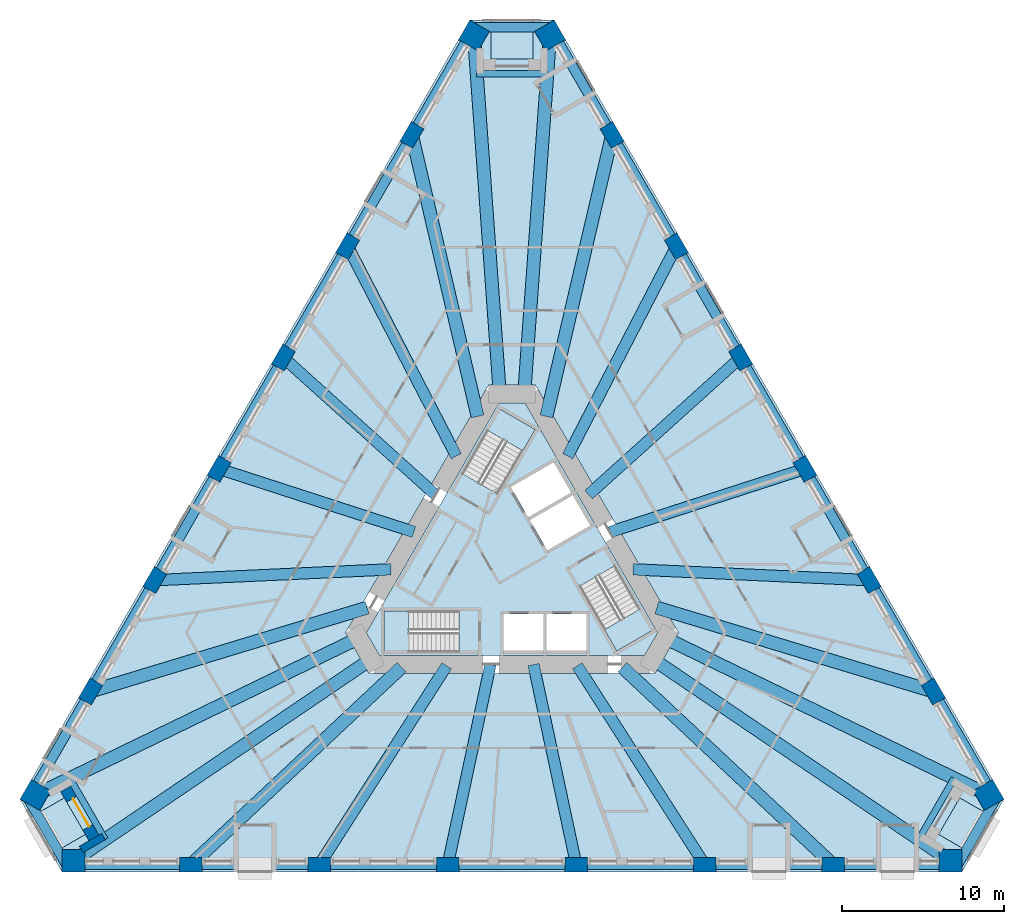
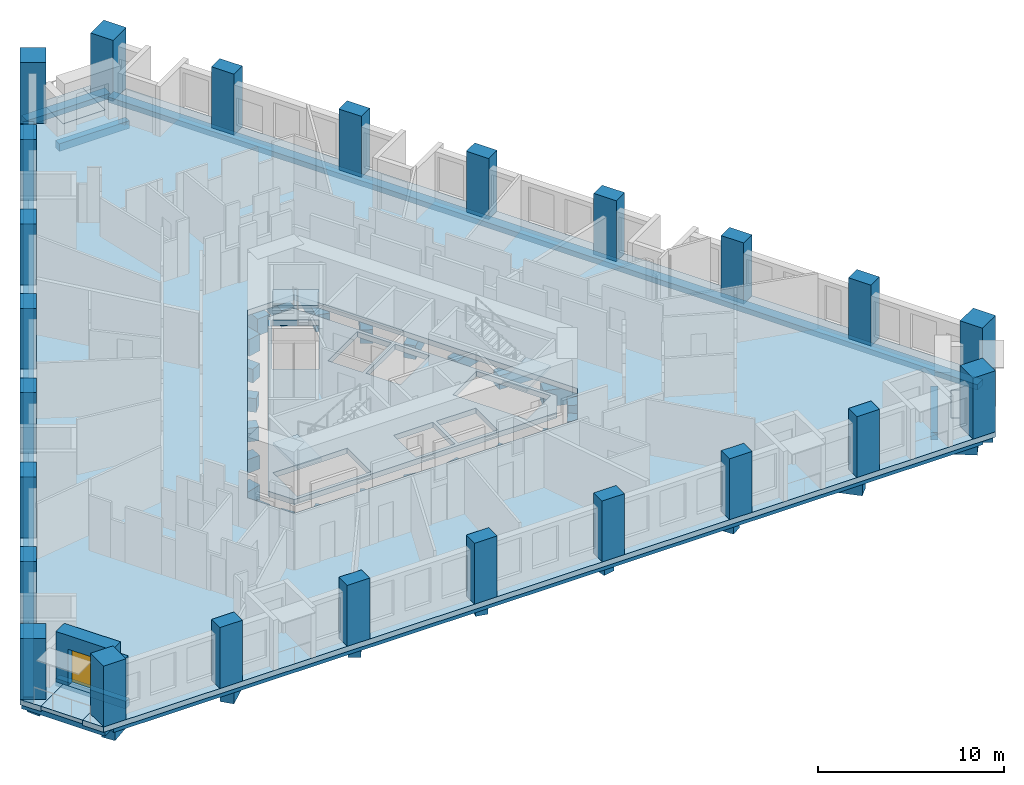
# One storey, part 1 of 14: 33 beams, 24 columns, 8 slabs, 2 walls, 1 door, 1 opening, 3 elements without a shape of their own.
"""IFC4 building model written with IfcOpenShell, lengths in metres."""

from ifc_helpers import new_model, si_unit, direction, frame, frame_2d, origin, origin_2d, place, context, subcontext, project, spatial, polyline, rectangle, outline, extrude, material, layer, layer_set, material_profile, profile_set, type_object, element, fill, aggregate, save


model = new_model("IFC4")

# Units and contexts
model_context = context("Model", 3, precision=1e-05, world=origin(), true_north=direction((0.0, 1.0)))
body_context = subcontext(model_context, "Body", "Model", "MODEL_VIEW")
ifc_project = project(units=[si_unit("LENGTHUNIT", "METRE"), si_unit("AREAUNIT", "SQUARE_METRE"), si_unit("VOLUMEUNIT", "CUBIC_METRE"), si_unit("PLANEANGLEUNIT", "RADIAN"), si_unit("MASSUNIT", "GRAM", prefix="KILO")], contexts=[model_context])

# Site, building, storey
site_placement = place(None, origin())
site = spatial("IfcSite", under=ifc_project, at=site_placement, CompositionType="ELEMENT")
building_placement = place(site_placement, origin())
building = spatial("IfcBuilding", under=site, at=building_placement, Name="Tramontana Tower", CompositionType="ELEMENT")
storey_placement = place(building_placement, frame((0.0, 0.0, 38.0)))
storey = spatial("IfcBuildingStorey", under=building, at=storey_placement, Name="L07", CompositionType="ELEMENT", Elevation=38.0)

# Columns
ifc_material_1 = material(Name="Concrete 70 MPa", Category="concrete")
ifc_material_profile_1 = material_profile(ifc_material_1, rectangle(XDim=1.39990234375, YDim=1.39990234375, at=origin_2d()), Name="Mega column 1400X1400 70 MPa")
ifc_profile_set_1 = profile_set([ifc_material_profile_1], Name="Concrete 70 MPa")
column_type_1 = type_object("IfcColumnType", Name="Mega column 1400X1400 70 MPa", PredefinedType="COLUMN", material=ifc_profile_set_1)
for number, where, z_axis, x_axis, name in (
    (1, (-2.341796875, 32.543701171875, 0.0), (0.0, 0.0, 1.0), (-0.5, -0.866025403784, 0.0), "Mega column C0K1 L07"),
    (2, (-29.354736328125, -14.243896484375, 0.0), (0.0, 0.0, 1.0), (-0.5, -0.866025403784, 0.0), "Mega column C0K2 L07"),
    (3, (-27.0126953125, -18.300048828125, 0.0), (0.0, 0.0, 1.0), (1.0, 0.0, 0.0), "Mega column C0K3 L07"),
    (4, (27.0126953125, -18.300048828125, 0.0), (0.0, 0.0, 1.0), (1.0, 0.0, 0.0), "Mega column C0K4 L07"),
    (5, (29.354736328125, -14.243896484375, 0.0), (0.0, 0.0, 1.0), (-0.5, 0.866025403784, 0.0), "Mega column C0K5 L07"),
    (6, (2.341796875, 32.543701171875, 0.0), (0.0, 0.0, 1.0), (-0.5, 0.866025403784, 0.0), "Mega column C0K6 L07"),
):
    element("IfcColumn", number, at=place(storey_placement, frame(where, z_axis=z_axis, x_axis=x_axis)), inside=storey, type_object=column_type_1, Name=name, PredefinedType="COLUMN", context=body_context, shape_type="SweptSolid", body=[
        extrude(rectangle(XDim=1.39990234375, YDim=1.39990234375, at=origin_2d()), origin(), (0.0, 0.0, 1.0), 4.0),
    ])
ifc_material_2 = material(Name="Concrete 55 MPa", Category="concrete")
ifc_material_profile_2 = material_profile(ifc_material_2, rectangle(XDim=1.39990234375, YDim=0.89990234375, at=origin_2d()), Name="Pier column 1400X900 55 MPa")
ifc_profile_set_2 = profile_set([ifc_material_profile_2], Name="Concrete 55 MPa")
column_type_2 = type_object("IfcColumnType", Name="Pier column 1400X900 55 MPa", PredefinedType="COLUMN", material=ifc_profile_set_2)
for number, where, z_axis, x_axis, name in (
    (7, (-6.167236328125, 26.41796875, 0.0), (0.0, 0.0, 1.0), (-0.5, -0.866025403784, 0.0), "Pier column C0F01 L07"),
    (8, (-10.126220703125, 19.560791015625, 0.0), (0.0, 0.0, 1.0), (-0.5, -0.866025403784, 0.0), "Pier column C0F02 L07"),
    (9, (-14.085205078125, 12.70361328125, 0.0), (0.0, 0.0, 1.0), (-0.5, -0.866025403784, 0.0), "Pier column C0F03 L07"),
    (10, (-18.044189453125, 5.846435546875, 0.0), (0.0, 0.0, 1.0), (-0.5, -0.866025403784, 0.0), "Pier column C0F04 L07"),
    (11, (-22.003173828125, -1.0107421875, 0.0), (0.0, 0.0, 1.0), (-0.5, -0.866025403784, 0.0), "Pier column C0F05 L07"),
    (12, (-25.962158203125, -7.867919921875, 0.0), (0.0, 0.0, 1.0), (-0.5, -0.866025403784, 0.0), "Pier column C0F06 L07"),
    (13, (-19.794921875, -18.550048828125, 0.0), (0.0, 0.0, 1.0), (1.0, 0.0, 0.0), "Pier column C0F07 L07"),
    (14, (-11.876953125, -18.550048828125, 0.0), (0.0, 0.0, 1.0), (1.0, 0.0, 0.0), "Pier column C0F08 L07"),
    (15, (-3.958984375, -18.550048828125, 0.0), (0.0, 0.0, 1.0), (1.0, 0.0, 0.0), "Pier column C0F09 L07"),
    (16, (3.958984375, -18.550048828125, 0.0), (0.0, 0.0, 1.0), (1.0, 0.0, 0.0), "Pier column C0F10 L07"),
    (17, (11.876953125, -18.550048828125, 0.0), (0.0, 0.0, 1.0), (1.0, 0.0, 0.0), "Pier column C0F11 L07"),
    (18, (19.794921875, -18.550048828125, 0.0), (0.0, 0.0, 1.0), (1.0, 0.0, 0.0), "Pier column C0F12 L07"),
    (19, (25.962158203125, -7.867919921875, 0.0), (0.0, 0.0, 1.0), (-0.5, 0.866025403784, 0.0), "Pier column C0F13 L07"),
    (20, (22.003173828125, -1.0107421875, 0.0), (0.0, 0.0, 1.0), (-0.5, 0.866025403784, 0.0), "Pier column C0F14 L07"),
    (21, (18.044189453125, 5.846435546875, 0.0), (0.0, 0.0, 1.0), (-0.5, 0.866025403784, 0.0), "Pier column C0F15 L07"),
    (22, (14.085205078125, 12.70361328125, 0.0), (0.0, 0.0, 1.0), (-0.5, 0.866025403784, 0.0), "Pier column C0F16 L07"),
    (23, (10.126220703125, 19.560791015625, 0.0), (0.0, 0.0, 1.0), (-0.5, 0.866025403784, 0.0), "Pier column C0F17 L07"),
    (24, (6.167236328125, 26.41796875, 0.0), (0.0, 0.0, 1.0), (-0.5, 0.866025403784, 0.0), "Pier column C0F18 L07"),
):
    element("IfcColumn", number, at=place(storey_placement, frame(where, z_axis=z_axis, x_axis=x_axis)), inside=storey, type_object=column_type_2, Name=name, PredefinedType="COLUMN", context=body_context, shape_type="SweptSolid", body=[
        extrude(rectangle(XDim=1.39990234375, YDim=0.89990234375, at=origin_2d()), origin(), (0.0, 0.0, 1.0), 4.0),
    ])

# Beams
ifc_material_3 = material(Name="Concrete 40 MPa", Category="concrete")
ifc_material_profile_3 = material_profile(ifc_material_3, rectangle(XDim=0.60009765625, YDim=0.35009765625, at=origin_2d()), Name="RC EDGE BEAM 600X350 40 MPa")
ifc_profile_set_3 = profile_set([ifc_material_profile_3], Name="Concrete 40 MPa")
beam_type_1 = type_object("IfcBeamType", Name="RC EDGE BEAM 600X350 40 MPa", PredefinedType="SPANDREL", material=ifc_profile_set_3)
beam_1_placement = place(storey_placement, frame((-2.558349609375, 32.668701171875, -0.52490234375), z_axis=(-0.500001490283, -0.866024543367, 0.0), x_axis=(0.866024543367, -0.500001490283, 0.0)))
element("IfcBeam", 25, at=beam_1_placement, inside=storey, type_object=beam_type_1, Name="Spandrel beam S0 L07", PredefinedType="SPANDREL", context=body_context, shape_type="SweptSolid", body=[
    extrude(rectangle(XDim=0.60009765625, YDim=0.35009765625, at=origin_2d()), origin(), (0.0, 0.0, 1.0), 54.025634765625),
])
beam_2_placement = place(storey_placement, frame((-27.0126953125, -18.550048828125, -0.52490234375), z_axis=(1.0, 0.0, 0.0), x_axis=(0.0, 1.0, 0.0)))
element("IfcBeam", 26, at=beam_2_placement, inside=storey, type_object=beam_type_1, Name="Spandrel beam S1 L07", PredefinedType="SPANDREL", context=body_context, shape_type="SweptSolid", body=[
    extrude(rectangle(XDim=0.60009765625, YDim=0.35009765625, at=origin_2d()), origin(), (0.0, 0.0, 1.0), 54.025390625),
])
beam_3_placement = place(storey_placement, frame((29.5712890625, -14.118896484375, -0.52490234375), z_axis=(-0.500001490283, 0.866024543367, 0.0), x_axis=(-0.866024543367, -0.500001490283, 0.0)))
element("IfcBeam", 27, at=beam_3_placement, inside=storey, type_object=beam_type_1, Name="Spandrel beam S2 L07", PredefinedType="SPANDREL", context=body_context, shape_type="SweptSolid", body=[
    extrude(rectangle(XDim=0.60009765625, YDim=0.35009765625, at=origin_2d()), origin(), (0.0, 0.0, 1.0), 54.025634765625),
])
for number, where, z_axis, x_axis, name in (
    (28, (2.59814453125, 33.050048828125, -0.52490234375), (-1.0, 0.0, 0.0), (0.0, -1.0, 0.0), "Spandrel beam K0 L07"),
    (29, (-29.921142578125, -14.27490234375, -0.52490234375), (0.50000986103, -0.866019710441, 0.0), (0.866019710441, 0.50000986103, 0.0), "Spandrel beam K1 L07"),
    (30, (27.322998046875, -18.77490234375, -0.52490234375), (0.50000986103, 0.866019710441, 0.0), (-0.866019710441, 0.50000986103, 0.0), "Spandrel beam K2 L07"),
):
    element("IfcBeam", number, at=place(storey_placement, frame(where, z_axis=z_axis, x_axis=x_axis)), inside=storey, type_object=beam_type_1, Name=name, PredefinedType="SPANDREL", context=body_context, shape_type="SweptSolid", body=[
        extrude(rectangle(XDim=0.60009765625, YDim=0.35009765625, at=origin_2d()), origin(), (0.0, 0.0, 1.0), 5.1962890625),
    ])
ifc_material_4 = material(Name="Concrete 40 MPa", Category="concrete")
ifc_material_profile_4 = material_profile(ifc_material_4, rectangle(XDim=0.699951171875, YDim=0.89990234375, at=origin_2d()), Name="RC GIRDER 700X900 40 MPa")
ifc_profile_set_4 = profile_set([ifc_material_profile_4], Name="Concrete 40 MPa")
beam_type_2 = type_object("IfcBeamType", Name="RC GIRDER 700X900 40 MPa", PredefinedType="BEAM", material=ifc_profile_set_4)
beam_4_placement = place(storey_placement, frame((-10.126220703125, 19.560791015625, -0.800048828125), z_axis=(0.459730770714, -0.88805834181, 0.0), x_axis=(0.88805834181, 0.459730770714, 0.0)))
element("IfcBeam", 31, at=beam_4_placement, inside=storey, type_object=beam_type_2, Name="Radial girder C0F02 L07", PredefinedType="BEAM", context=body_context, shape_type="SweptSolid", body=[
    extrude(rectangle(XDim=0.699951171875, YDim=0.89990234375, at=origin_2d()), origin(), (0.0, 0.0, 1.0), 14.5615234375),
])
beam_5_placement = place(storey_placement, frame((-14.085205078125, 12.70361328125, -0.800048828125), z_axis=(0.742588406407, -0.669748056116, 0.0), x_axis=(0.669748056116, 0.742588406407, 0.0)))
element("IfcBeam", 32, at=beam_5_placement, inside=storey, type_object=beam_type_2, Name="Radial girder C0F03 L07", PredefinedType="BEAM", context=body_context, shape_type="SweptSolid", body=[
    extrude(rectangle(XDim=0.699951171875, YDim=0.89990234375, at=origin_2d()), origin(), (0.0, 0.0, 1.0), 12.615966796875),
])
beam_6_placement = place(storey_placement, frame((-18.044189453125, 5.846435546875, -0.800048828125), z_axis=(0.951314408854, -0.30822215285, 0.0), x_axis=(0.30822215285, 0.951314408854, 0.0)))
element("IfcBeam", 33, at=beam_6_placement, inside=storey, type_object=beam_type_2, Name="Radial girder C0F04 L07", PredefinedType="BEAM", context=body_context, shape_type="SweptSolid", body=[
    extrude(rectangle(XDim=0.699951171875, YDim=0.89990234375, at=origin_2d()), origin(), (0.0, 0.0, 1.0), 12.61572265625),
])
for number, where, z_axis, x_axis, name in (
    (34, (-22.003173828125, -1.0107421875, -0.800048828125), (0.998946541736, 0.045889070085, 0.0), (-0.045889070085, 0.998946541736, 0.0), "Radial girder C0F05 L07"),
    (35, (-11.876953125, -18.550048828125, -0.800048828125), (0.539217827497, 0.84216633423, 0.0), (-0.84216633423, 0.539217827497, 0.0), "Radial girder C0F08 L07"),
):
    element("IfcBeam", number, at=place(storey_placement, frame(where, z_axis=z_axis, x_axis=x_axis)), inside=storey, type_object=beam_type_2, Name=name, PredefinedType="BEAM", context=body_context, shape_type="SweptSolid", body=[
        extrude(rectangle(XDim=0.699951171875, YDim=0.89990234375, at=origin_2d()), origin(), (0.0, 0.0, 1.0), 14.5615234375),
    ])
for number, where, z_axis, x_axis, name in (
    (36, (-3.958984375, -18.550048828125, -0.800048828125), (0.208730772127, 0.977973141128, 0.0), (-0.977973141128, 0.208730772127, 0.0), "Radial girder C0F09 L07"),
    (37, (3.958984375, -18.550048828125, -0.800048828125), (-0.208730772127, 0.977973141128, 0.0), (-0.977973141128, -0.208730772127, 0.0), "Radial girder C0F10 L07"),
):
    element("IfcBeam", number, at=place(storey_placement, frame(where, z_axis=z_axis, x_axis=x_axis)), inside=storey, type_object=beam_type_2, Name=name, PredefinedType="BEAM", context=body_context, shape_type="SweptSolid", body=[
        extrude(rectangle(XDim=0.699951171875, YDim=0.89990234375, at=origin_2d()), origin(), (0.0, 0.0, 1.0), 12.61572265625),
    ])
for number, where, z_axis, x_axis, name in (
    (38, (11.876953125, -18.550048828125, -0.800048828125), (-0.539217827497, 0.84216633423, 0.0), (-0.84216633423, -0.539217827497, 0.0), "Radial girder C0F11 L07"),
    (39, (22.003173828125, -1.0107421875, -0.800048828125), (-0.998946541736, 0.045889070085, 0.0), (-0.045889070085, -0.998946541736, 0.0), "Radial girder C0F14 L07"),
):
    element("IfcBeam", number, at=place(storey_placement, frame(where, z_axis=z_axis, x_axis=x_axis)), inside=storey, type_object=beam_type_2, Name=name, PredefinedType="BEAM", context=body_context, shape_type="SweptSolid", body=[
        extrude(rectangle(XDim=0.699951171875, YDim=0.89990234375, at=origin_2d()), origin(), (0.0, 0.0, 1.0), 14.5615234375),
    ])
beam_7_placement = place(storey_placement, frame((18.044189453125, 5.846435546875, -0.800048828125), z_axis=(-0.951314408854, -0.30822215285, 0.0), x_axis=(0.30822215285, -0.951314408854, 0.0)))
element("IfcBeam", 40, at=beam_7_placement, inside=storey, type_object=beam_type_2, Name="Radial girder C0F15 L07", PredefinedType="BEAM", context=body_context, shape_type="SweptSolid", body=[
    extrude(rectangle(XDim=0.699951171875, YDim=0.89990234375, at=origin_2d()), origin(), (0.0, 0.0, 1.0), 12.61572265625),
])
beam_8_placement = place(storey_placement, frame((14.085205078125, 12.70361328125, -0.800048828125), z_axis=(-0.742588406407, -0.669748056116, 0.0), x_axis=(0.669748056116, -0.742588406407, 0.0)))
element("IfcBeam", 41, at=beam_8_placement, inside=storey, type_object=beam_type_2, Name="Radial girder C0F16 L07", PredefinedType="BEAM", context=body_context, shape_type="SweptSolid", body=[
    extrude(rectangle(XDim=0.699951171875, YDim=0.89990234375, at=origin_2d()), origin(), (0.0, 0.0, 1.0), 12.615966796875),
])
beam_9_placement = place(storey_placement, frame((10.126220703125, 19.560791015625, -0.800048828125), z_axis=(-0.459730770714, -0.88805834181, 0.0), x_axis=(0.88805834181, -0.459730770714, 0.0)))
element("IfcBeam", 42, at=beam_9_placement, inside=storey, type_object=beam_type_2, Name="Radial girder C0F17 L07", PredefinedType="BEAM", context=body_context, shape_type="SweptSolid", body=[
    extrude(rectangle(XDim=0.699951171875, YDim=0.89990234375, at=origin_2d()), origin(), (0.0, 0.0, 1.0), 14.5615234375),
])
ifc_material_5 = material(Name="Concrete 40 MPa", Category="concrete")
ifc_material_profile_5 = material_profile(ifc_material_5, rectangle(XDim=0.800048828125, YDim=1.10009765625, at=origin_2d()), Name="RC GIRDER 800X1100 40 MPa")
ifc_profile_set_5 = profile_set([ifc_material_profile_5], Name="Concrete 40 MPa")
beam_type_3 = type_object("IfcBeamType", Name="RC GIRDER 800X1100 40 MPa", PredefinedType="BEAM", material=ifc_profile_set_5)
beam_10_placement = place(storey_placement, frame((-2.341796875, 32.543701171875, -0.89990234375), z_axis=(0.071767165612, -0.997421412413, 0.0), x_axis=(0.997421412413, 0.071767165612, 0.0)))
element("IfcBeam", 43, at=beam_10_placement, inside=storey, type_object=beam_type_3, Name="Radial girder C0K1 L07", PredefinedType="BEAM", context=body_context, shape_type="SweptSolid", body=[
    extrude(rectangle(XDim=0.800048828125, YDim=1.10009765625, at=origin_2d()), origin(), (0.0, 0.0, 1.0), 22.1494140625),
])
beam_11_placement = place(storey_placement, frame((-6.167236328125, 26.41796875, -0.89990234375), z_axis=(0.227334068495, -0.973816831494, 0.0), x_axis=(0.973816831494, 0.227334068495, 0.0)))
element("IfcBeam", 44, at=beam_11_placement, inside=storey, type_object=beam_type_3, Name="Radial girder C0F01 L07", PredefinedType="BEAM", context=body_context, shape_type="SweptSolid", body=[
    extrude(rectangle(XDim=0.800048828125, YDim=1.10009765625, at=origin_2d()), origin(), (0.0, 0.0, 1.0), 17.806884765625),
])
beam_12_placement = place(storey_placement, frame((-25.962158203125, -7.867919921875, -0.89990234375), z_axis=(0.95701990712, 0.290022236004, 0.0), x_axis=(-0.290022236004, 0.95701990712, 0.0)))
element("IfcBeam", 45, at=beam_12_placement, inside=storey, type_object=beam_type_3, Name="Radial girder C0F06 L07", PredefinedType="BEAM", context=body_context, shape_type="SweptSolid", body=[
    extrude(rectangle(XDim=0.800048828125, YDim=1.10009765625, at=origin_2d()), origin(), (0.0, 0.0, 1.0), 17.806640625),
])
beam_13_placement = place(storey_placement, frame((-29.354736328125, -14.243896484375, -0.89990234375), z_axis=(0.899679009302, 0.436552036098, 0.0), x_axis=(-0.436552036098, 0.899679009302, 0.0)))
element("IfcBeam", 46, at=beam_13_placement, inside=storey, type_object=beam_type_3, Name="Radial girder C0K2 L07", PredefinedType="BEAM", context=body_context, shape_type="SweptSolid", body=[
    extrude(rectangle(XDim=0.800048828125, YDim=1.10009765625, at=origin_2d()), origin(), (0.0, 0.0, 1.0), 22.149658203125),
])
beam_14_placement = place(storey_placement, frame((-27.0126953125, -18.300048828125, -0.89990234375), z_axis=(0.827898052271, 0.560878609903, 0.0), x_axis=(-0.560878609903, 0.827898052271, 0.0)))
element("IfcBeam", 47, at=beam_14_placement, inside=storey, type_object=beam_type_3, Name="Radial girder C0K3 L07", PredefinedType="BEAM", context=body_context, shape_type="SweptSolid", body=[
    extrude(rectangle(XDim=0.800048828125, YDim=1.10009765625, at=origin_2d()), origin(), (0.0, 0.0, 1.0), 22.1494140625),
])
for number, where, z_axis, x_axis, name in (
    (48, (-19.794921875, -18.550048828125, -0.89990234375), (0.72967229952, 0.683796998614, 0.0), (-0.683796998614, 0.72967229952, 0.0), "Radial girder C0F07 L07"),
    (49, (19.794921875, -18.550048828125, -0.89990234375), (-0.72967229952, 0.683796998614, 0.0), (-0.683796998614, -0.72967229952, 0.0), "Radial girder C0F12 L07"),
):
    element("IfcBeam", number, at=place(storey_placement, frame(where, z_axis=z_axis, x_axis=x_axis)), inside=storey, type_object=beam_type_3, Name=name, PredefinedType="BEAM", context=body_context, shape_type="SweptSolid", body=[
        extrude(rectangle(XDim=0.800048828125, YDim=1.10009765625, at=origin_2d()), origin(), (0.0, 0.0, 1.0), 17.806884765625),
    ])
beam_15_placement = place(storey_placement, frame((27.0126953125, -18.300048828125, -0.89990234375), z_axis=(-0.827898052271, 0.560878609903, 0.0), x_axis=(-0.560878609903, -0.827898052271, 0.0)))
element("IfcBeam", 50, at=beam_15_placement, inside=storey, type_object=beam_type_3, Name="Radial girder C0K4 L07", PredefinedType="BEAM", context=body_context, shape_type="SweptSolid", body=[
    extrude(rectangle(XDim=0.800048828125, YDim=1.10009765625, at=origin_2d()), origin(), (0.0, 0.0, 1.0), 22.1494140625),
])
beam_16_placement = place(storey_placement, frame((29.354736328125, -14.243896484375, -0.89990234375), z_axis=(-0.899679009302, 0.436552036098, 0.0), x_axis=(-0.436552036098, -0.899679009302, 0.0)))
element("IfcBeam", 51, at=beam_16_placement, inside=storey, type_object=beam_type_3, Name="Radial girder C0K5 L07", PredefinedType="BEAM", context=body_context, shape_type="SweptSolid", body=[
    extrude(rectangle(XDim=0.800048828125, YDim=1.10009765625, at=origin_2d()), origin(), (0.0, 0.0, 1.0), 22.149658203125),
])
beam_17_placement = place(storey_placement, frame((25.962158203125, -7.867919921875, -0.89990234375), z_axis=(-0.95701990712, 0.290022236004, 0.0), x_axis=(-0.290022236004, -0.95701990712, 0.0)))
element("IfcBeam", 52, at=beam_17_placement, inside=storey, type_object=beam_type_3, Name="Radial girder C0F13 L07", PredefinedType="BEAM", context=body_context, shape_type="SweptSolid", body=[
    extrude(rectangle(XDim=0.800048828125, YDim=1.10009765625, at=origin_2d()), origin(), (0.0, 0.0, 1.0), 17.806640625),
])
beam_18_placement = place(storey_placement, frame((6.167236328125, 26.41796875, -0.89990234375), z_axis=(-0.227334068495, -0.973816831494, 0.0), x_axis=(0.973816831494, -0.227334068495, 0.0)))
element("IfcBeam", 53, at=beam_18_placement, inside=storey, type_object=beam_type_3, Name="Radial girder C0F18 L07", PredefinedType="BEAM", context=body_context, shape_type="SweptSolid", body=[
    extrude(rectangle(XDim=0.800048828125, YDim=1.10009765625, at=origin_2d()), origin(), (0.0, 0.0, 1.0), 17.806884765625),
])
beam_19_placement = place(storey_placement, frame((2.341796875, 32.543701171875, -0.89990234375), z_axis=(-0.071767165612, -0.997421412413, 0.0), x_axis=(0.997421412413, -0.071767165612, 0.0)))
element("IfcBeam", 54, at=beam_19_placement, inside=storey, type_object=beam_type_3, Name="Radial girder C0K6 L07", PredefinedType="BEAM", context=body_context, shape_type="SweptSolid", body=[
    extrude(rectangle(XDim=0.800048828125, YDim=1.10009765625, at=origin_2d()), origin(), (0.0, 0.0, 1.0), 22.1494140625),
])
ifc_material_6 = material(Name="Concrete 40 MPa", Category="concrete")
ifc_material_profile_6 = material_profile(ifc_material_6, rectangle(XDim=0.39990234375, YDim=0.5, at=origin_2d()), Name="RC TRIM BEAM 400X500 40 MPa")
ifc_profile_set_6 = profile_set([ifc_material_profile_6], Name="Concrete 40 MPa")
beam_type_4 = type_object("IfcBeamType", Name="RC TRIM BEAM 400X500 40 MPa", PredefinedType="JOIST", material=ifc_profile_set_6)
for number, where, z_axis, x_axis, name in (
    (55, (2.173095703125, 30.199951171875, -0.60009765625), (-1.0, 0.0, 0.0), (0.0, -1.0, 0.0), "Trimmer beam K0 L07"),
    (56, (-27.240478515625, -13.218017578125, -0.60009765625), (0.499999616612, -0.866025625133, 0.0), (0.866025625133, 0.499999616612, 0.0), "Trimmer beam K1 L07"),
    (57, (25.0673828125, -16.98193359375, -0.60009765625), (0.499999616612, 0.866025625133, 0.0), (-0.866025625133, 0.499999616612, 0.0), "Trimmer beam K2 L07"),
):
    element("IfcBeam", number, at=place(storey_placement, frame(where, z_axis=z_axis, x_axis=x_axis)), inside=storey, type_object=beam_type_4, Name=name, PredefinedType="JOIST", context=body_context, shape_type="SweptSolid", body=[
        extrude(rectangle(XDim=0.39990234375, YDim=0.5, at=origin_2d()), origin(), (0.0, 0.0, 1.0), 4.34619140625),
    ])

# Slabs
ifc_material_7 = material(Name="Precast concrete 50 MPa", Category="concrete")
ifc_layer_1 = layer(ifc_material_7, 0.25)
ifc_layer_set_1 = layer_set([ifc_layer_1], Name="LT1 Loggia floor tray 250")
slab_type_1 = type_object("IfcSlabType", Name="LT1 Loggia floor tray 250", PredefinedType="FLOOR", material=ifc_layer_set_1)
slab_1_placement = place(storey_placement, frame((0.0, 0.0, -0.25)))
element("IfcSlab", 58, at=slab_1_placement, inside=storey, type_object=slab_type_1, Name="Corner loggia floor L07 K00", PredefinedType="FLOOR", context=body_context, shape_type="SweptSolid", body=[
    extrude(outline(polyline([(1.300048828125, 33.5), (1.300048828125, 31.10009765625), (-1.300048828125, 31.10009765625), (-1.300048828125, 33.5), (1.300048828125, 33.5)])), origin(), (0.0, 0.0, 1.0), 0.25),
])
slab_2_placement = place(storey_placement, frame((0.0, 0.0, -0.25)))
element("IfcSlab", 59, at=slab_2_placement, inside=storey, type_object=slab_type_1, Name="Corner loggia floor L07 K01", PredefinedType="FLOOR", context=body_context, shape_type="SweptSolid", body=[
    extrude(outline(polyline([(-29.661865234375, -15.624267578125), (-27.58349609375, -14.424072265625), (-26.283447265625, -16.67578125), (-28.36181640625, -17.875732421875), (-29.661865234375, -15.624267578125)])), origin(), (0.0, 0.0, 1.0), 0.25),
])
slab_3_placement = place(storey_placement, frame((0.0, 0.0, -0.25)))
element("IfcSlab", 60, at=slab_3_placement, inside=storey, type_object=slab_type_1, Name="Corner loggia floor L07 K02", PredefinedType="FLOOR", context=body_context, shape_type="SweptSolid", body=[
    extrude(outline(polyline([(28.36181640625, -17.875732421875), (26.283447265625, -16.67578125), (27.58349609375, -14.424072265625), (29.661865234375, -15.624267578125), (28.36181640625, -17.875732421875)])), origin(), (0.0, 0.0, 1.0), 0.25),
])
ifc_material_8 = material(Name="Concrete 40 MPa", Category="concrete")
ifc_layer_2 = layer(ifc_material_8, 0.35009765625)
ifc_layer_set_2 = layer_set([ifc_layer_2], Name="PT FLAT SLAB 350 40 MPa")
slab_type_2 = type_object("IfcSlabType", Name="PT FLAT SLAB 350 40 MPa", PredefinedType="FLOOR", material=ifc_layer_set_2)
slab_4_placement = place(storey_placement, frame((0.0, 0.0, -0.35009765625)))
element("IfcSlab", 61, at=slab_4_placement, inside=storey, type_object=slab_type_2, Name="Floor slab L07", PredefinedType="FLOOR", context=body_context, shape_type="SweptSolid", body=[
    extrude(outline(polyline([(29.661865234375, -15.624267578125), (27.58349609375, -14.42431640625), (26.283447265625, -16.67578125), (28.36181640625, -17.875732421875), (27.712890625, -19.0), (-27.712890625, -19.0), (-28.36181640625, -17.875732421875), (-26.283447265625, -16.67578125), (-27.58349609375, -14.42431640625), (-29.661865234375, -15.624267578125), (-30.310791015625, -14.5), (-2.59814453125, 33.5), (-1.300048828125, 33.5), (-1.300048828125, 31.10009765625), (1.300048828125, 31.10009765625), (1.300048828125, 33.5), (2.59814453125, 33.5), (30.310791015625, -14.5), (29.661865234375, -15.624267578125)]), holes=[polyline([(-10.248046875, -4.25), (-8.8046875, -6.75), (8.8046875, -6.75), (10.248046875, -4.25), (1.443359375, 11.0), (-1.443359375, 11.0), (-10.248046875, -4.25)])]), origin(), (0.0, 0.0, 1.0), 0.35009765625),
])
slab_5_placement = place(storey_placement, frame((0.0, 0.0, -0.35009765625)))
element("IfcSlab", 62, at=slab_5_placement, inside=storey, type_object=slab_type_2, Name="Core floor slab L07", PredefinedType="FLOOR", context=body_context, shape_type="SweptSolid", body=[
    extrude(outline(polyline([(8.977783203125, -4.25), (8.16943359375, -5.64990234375), (-8.16943359375, -5.64990234375), (-8.977783203125, -4.25), (-0.808349609375, 9.89990234375), (0.808349609375, 9.89990234375), (8.977783203125, -4.25)]), holes=[polyline([(8.659912109375, -4.099365234375), (6.35986328125, -0.115478515625), (4.151611328125, -1.390625), (6.451416015625, -5.374267578125), (8.659912109375, -4.099365234375)]), polyline([(3.829833984375, 4.2666015625), (1.101806640625, 2.69140625), (2.177001953125, 0.82958984375), (4.90478515625, 2.404541015625), (3.829833984375, 4.2666015625)]), polyline([(4.590087890625, -3.10009765625), (2.139892578125, -3.10009765625), (2.139892578125, -5.449951171875), (4.590087890625, -5.449951171875), (4.590087890625, -3.10009765625)]), polyline([(2.65478515625, 6.3017578125), (-0.072998046875, 4.726806640625), (1.001953125, 2.86474609375), (3.729736328125, 4.439697265625), (2.65478515625, 6.3017578125)]), polyline([(1.93994140625, -5.449951171875), (1.93994140625, -3.10009765625), (-0.510009765625, -3.10009765625), (-0.510009765625, -5.449951171875), (1.93994140625, -5.449951171875)]), polyline([(-0.77978515625, 9.54931640625), (-3.079833984375, 5.565673828125), (-0.87158203125, 4.29052734375), (1.428466796875, 8.2744140625), (-0.77978515625, 9.54931640625)]), polyline([(-7.8798828125, -5.449951171875), (-3.280029296875, -5.449951171875), (-3.280029296875, -2.89990234375), (-7.8798828125, -2.89990234375), (-7.8798828125, -5.449951171875)])]), origin(), (0.0, 0.0, 1.0), 0.35009765625),
])

# Stair, slab
ifc_material_9 = material(Name="Concrete 40 MPa", Category="concrete")
stair_type = type_object("IfcStairType", Name="EXIT STAIR 24 RISERS", PredefinedType="HALF_TURN_STAIR", material=ifc_material_9)
stair_1_placement = place(storey_placement, origin())
stair_1 = element("IfcStair", 63, at=stair_1_placement, inside=storey, type_object=stair_type, Name="L07 Exit stair ST1", PredefinedType="HALF_TURN_STAIR")
ifc_material_10 = material(Name="Concrete 40 MPa", Category="concrete")
ifc_layer_3 = layer(ifc_material_10, 0.199951171875)
ifc_layer_set_3 = layer_set([ifc_layer_3], Name="STAIR LANDING 200")
slab_type_3 = type_object("IfcSlabType", Name="STAIR LANDING 200", PredefinedType="LANDING", material=ifc_layer_set_3)
slab_6_placement = place(storey_placement, frame((0.0, 0.0, 1.800048828125)))
slab_6 = element("IfcSlab", 64, at=slab_6_placement, type_object=slab_type_3, Name="ST1 landing 1", PredefinedType="LANDING", context=body_context, shape_type="SweptSolid", body=[
    extrude(outline(polyline([(0.66845703125, 6.9580078125), (1.428466796875, 8.274169921875), (-0.77978515625, 9.54931640625), (-1.539794921875, 8.23291015625), (0.66845703125, 6.9580078125)])), origin(), (0.0, 0.0, 1.0), 0.199951171875),
])
aggregate(stair_1, [slab_6])

stair_2_placement = place(storey_placement, origin())
stair_2 = element("IfcStair", 65, at=stair_2_placement, inside=storey, type_object=stair_type, Name="L07 Exit stair ST2", PredefinedType="HALF_TURN_STAIR")
slab_7_placement = place(storey_placement, frame((0.0, 0.0, 1.800048828125)))
slab_7 = element("IfcSlab", 66, at=slab_7_placement, type_object=slab_type_3, Name="ST2 landing 1", PredefinedType="LANDING", context=body_context, shape_type="SweptSolid", body=[
    extrude(outline(polyline([(-6.360107421875, -2.89990234375), (-7.8798828125, -2.89990234375), (-7.8798828125, -5.449951171875), (-6.360107421875, -5.449951171875), (-6.360107421875, -2.89990234375)])), origin(), (0.0, 0.0, 1.0), 0.199951171875),
])
aggregate(stair_2, [slab_7])

stair_3_placement = place(storey_placement, origin())
stair_3 = element("IfcStair", 67, at=stair_3_placement, inside=storey, type_object=stair_type, Name="L07 Exit stair ST3", PredefinedType="HALF_TURN_STAIR")
slab_8_placement = place(storey_placement, frame((0.0, 0.0, 1.800048828125)))
slab_8 = element("IfcSlab", 68, at=slab_8_placement, type_object=slab_type_3, Name="ST3 landing 1", PredefinedType="LANDING", context=body_context, shape_type="SweptSolid", body=[
    extrude(outline(polyline([(5.69140625, -4.057861328125), (6.451416015625, -5.374267578125), (8.659912109375, -4.099365234375), (7.89990234375, -2.782958984375), (5.69140625, -4.057861328125)])), origin(), (0.0, 0.0, 1.0), 0.199951171875),
])
aggregate(stair_3, [slab_8])

# Wall
ifc_material_11 = material(Name="Precast concrete 60 MPa", Category="concrete")
ifc_layer_4 = layer(ifc_material_11, 0.449951171875)
ifc_layer_set_4 = layer_set([ifc_layer_4], Name="Precast concrete 60 MPa, 450 mm")
wall_type_1 = type_object("IfcWallType", Name="EW1 Stone-faced precast wall 450", PredefinedType="SOLIDWALL", material=ifc_layer_set_4)
wall_1_placement = place(storey_placement, frame((-26.5341796875, -17.60009765625, 0.0), z_axis=(0.0, 0.0, 1.0), x_axis=(0.86597962928, 0.500079275387, 0.0)))
element("IfcWall", 69, at=wall_1_placement, inside=storey, type_object=wall_type_1, Name="Corner loggia side wall L07 K01l", PredefinedType="SOLIDWALL", context=body_context, shape_type="SweptSolid", body=[
    extrude(rectangle(XDim=1.579345703125, YDim=0.449951171875, at=frame_2d((0.78955078125, 0.0))), origin(), (0.0, 0.0, 1.0), 2.550048828125),
])

# Wall, opening, door
ifc_material_12 = material(Name="Precast concrete 60 MPa", Category="concrete")
ifc_layer_5 = layer(ifc_material_12, 0.89990234375)
ifc_layer_set_5 = layer_set([ifc_layer_5], Name="EW2 Stone-faced corner loggia wall 900")
wall_type_2 = type_object("IfcWallType", Name="EW2 Stone-faced corner loggia wall 900", PredefinedType="SOLIDWALL", material=ifc_layer_set_5)
wall_2_placement = place(storey_placement, frame((-25.668701171875, -16.840576171875, 0.0), z_axis=(0.0, 0.0, 1.0), x_axis=(-0.500010275428, 0.866019471182, 0.0)))
wall_2 = element("IfcWall", 70, at=wall_2_placement, inside=storey, type_object=wall_type_2, Name="Corner loggia wall L07 K01", PredefinedType="SOLIDWALL", context=body_context, shape_type="SweptSolid", body=[
    extrude(rectangle(XDim=3.5, YDim=0.89990234375, at=frame_2d((1.75, 0.0))), origin(), (0.0, 0.0, 1.0), 3.300048828125),
])
opening_placement = place(wall_2_placement, frame((0.75, 0.0, 0.0)))
opening = element("IfcOpeningElement", 71, at=opening_placement, cuts=wall_2, Name="Opening BD-01C", PredefinedType="OPENING", context=body_context, shape_type="SweptSolid", body=[
    extrude(rectangle(XDim=2.0, YDim=2.39990234375, at=frame_2d((1.0, 1.199951171875))), frame((0.0, 0.4599609375, 0.0), z_axis=(0.0, -1.0, 0.0), x_axis=(1.0, 0.0, 0.0)), (0.0, 0.0, 1.0), 0.919921875),
])
ifc_material_13 = material(Name="Aluminum frame, double glazing unit", Category="aluminium")
door_type = type_object("IfcDoorType", Name="BC1 Sliding door 2 x 2.4", OperationType="SLIDING_TO_LEFT", PredefinedType="DOOR", material=ifc_material_13)
door_placement = place(opening_placement, origin())
door = element("IfcDoor", 72, at=door_placement, inside=storey, type_object=door_type, Name="Corner loggia door L07 K01", OperationType="SLIDING_TO_LEFT", OverallHeight=2.39990234375, OverallWidth=2.0, PredefinedType="DOOR", context=body_context, shape_type="SweptSolid", body=[
    extrude(rectangle(XDim=2.0, YDim=2.39990234375, at=frame_2d((1.0, 1.199951171875))), frame((0.0, 0.02490234375, 0.0), z_axis=(0.0, -1.0, 0.0), x_axis=(1.0, 0.0, 0.0)), (0.0, 0.0, 1.0), 0.050048828125),
])
fill(opening, door)

save(model, "model.ifc")
